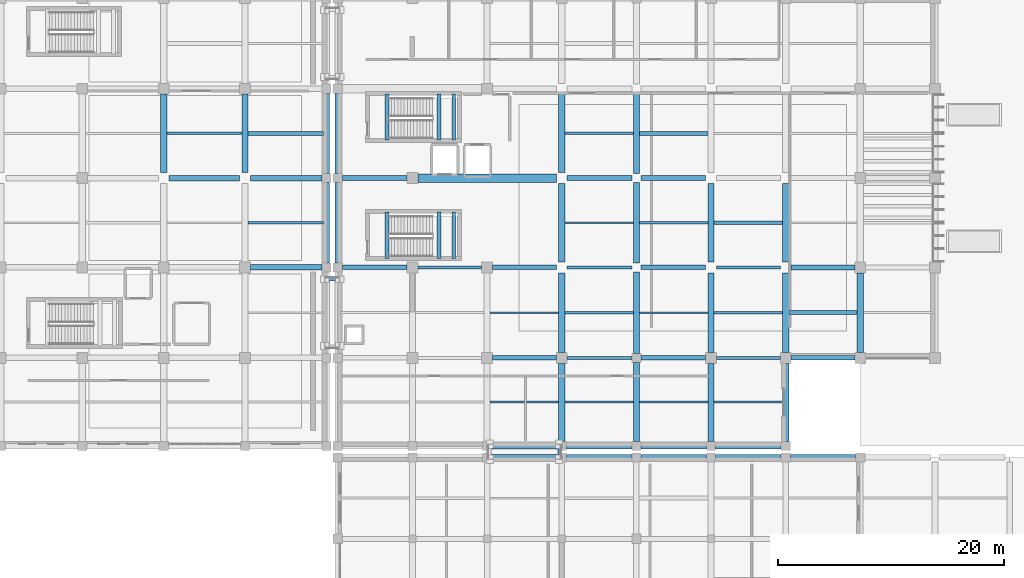
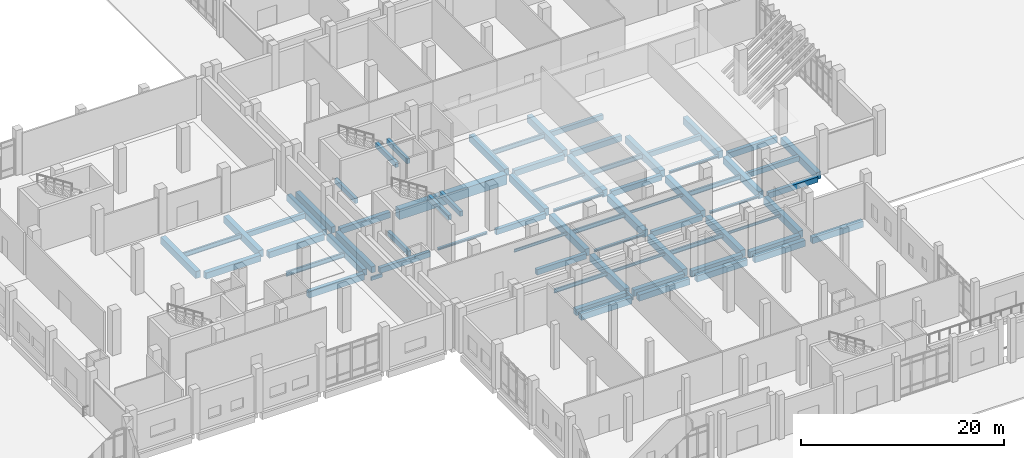
# One storey, part 17 of 79: 74 beams.
"""IFC4 building model written with IfcOpenShell, lengths in metres."""

from ifc_helpers import new_model, si_unit, direction, frame, origin, origin_2d, place, context, subcontext, project, spatial, rectangle, hollow_rectangle, i_section, extrude, material, material_profile, profile_set, type_object, element, save


model = new_model("IFC4")

# Units and contexts
model_context = context("Model", 3, precision=1e-05, world=origin(), true_north=direction((0.0, 1.0)))
body_context = subcontext(model_context, "Body", "Model", "MODEL_VIEW")
ifc_project = project(units=[si_unit("LENGTHUNIT", "METRE"), si_unit("AREAUNIT", "SQUARE_METRE"), si_unit("VOLUMEUNIT", "CUBIC_METRE"), si_unit("PLANEANGLEUNIT", "RADIAN"), si_unit("MASSUNIT", "GRAM", prefix="KILO")], contexts=[model_context])

# Site, building, storey
site_placement = place(None, origin())
site = spatial("IfcSite", under=ifc_project, at=site_placement, CompositionType="ELEMENT")
building_placement = place(site_placement, origin())
building = spatial("IfcBuilding", under=site, at=building_placement, Name="Kelarvand Opera House", CompositionType="ELEMENT")
storey_placement = place(building_placement, origin())
storey = spatial("IfcBuildingStorey", under=building, at=storey_placement, Name="L00", CompositionType="ELEMENT", Elevation=0.0)

# Beams
ifc_material_1 = material(Name="Concrete C35/45", Category="concrete")
ifc_material_profile_1 = material_profile(ifc_material_1, rectangle(XDim=0.35009765625, YDim=0.60009765625, at=origin_2d()), Name="RC 350x600", Category="concrete")
ifc_profile_set_1 = profile_set([ifc_material_profile_1], Name="Concrete C35/45")
beam_type_1 = type_object("IfcBeamType", Name="Structural Beam RC 350x600 BM-RC350x600", PredefinedType="BEAM", material=ifc_profile_set_1)
for number, where, z_axis, x_axis, name in (
    (1, (115.675048828125, 66.449951171875, -0.6201171875), (1.0, 0.0, 0.0), (0.0, 1.0, 0.0), "V1 L00 Beam BM-RC350x600"),
    (2, (122.27490234375, 58.550048828125, -0.6201171875), (1.0, 0.0, 0.0), (0.0, 1.0, 0.0), "V1 L00 Beam BM-RC350x600"),
    (3, (128.875, 50.60009765625, -0.6201171875), (1.0, 0.0, 0.0), (0.0, 1.0, 0.0), "V1 L00 Beam BM-RC350x600"),
):
    element("IfcBeam", number, at=place(storey_placement, frame(where, z_axis=z_axis, x_axis=x_axis)), inside=storey, type_object=beam_type_1, Name=name, PredefinedType="BEAM", context=body_context, shape_type="SweptSolid", body=[
        extrude(rectangle(XDim=0.35009765625, YDim=0.60009765625, at=origin_2d()), origin(), (0.0, 0.0, 1.0), 6.050048828125),
    ])
beam_1_placement = place(storey_placement, frame((81.074951171875, 66.449951171875, -0.6201171875), z_axis=(1.0, 0.0, 0.0), x_axis=(0.0, 1.0, 0.0)))
element("IfcBeam", 4, at=beam_1_placement, inside=storey, type_object=beam_type_1, Name="V2 L00 Beam BM-RC350x600", PredefinedType="BEAM", context=body_context, shape_type="SweptSolid", body=[
    extrude(rectangle(XDim=0.35009765625, YDim=0.60009765625, at=origin_2d()), origin(), (0.0, 0.0, 1.0), 6.675048828125),
])
for number, where, z_axis, x_axis, name in (
    (5, (93.340087890625, 65.85009765625, -0.52001953125), (0.0, 1.0, 0.0), (-1.0, 0.0, 0.0), "C1 Stair Landing Support Beam L00"),
    (6, (97.949951171875, 65.85009765625, 2.199951171875), (0.0, 1.0, 0.0), (-1.0, 0.0, 0.0), "C1 Stair Half-Landing Beam 1 L00"),
    (7, (99.25, 65.85009765625, 2.199951171875), (0.0, 1.0, 0.0), (-1.0, 0.0, 0.0), "C1 Stair Half-Landing Beam 2 L00"),
):
    element("IfcBeam", number, at=place(storey_placement, frame(where, z_axis=z_axis, x_axis=x_axis)), inside=storey, type_object=beam_type_1, Name=name, PredefinedType="BEAM", context=body_context, shape_type="SweptSolid", body=[
        extrude(rectangle(XDim=0.35009765625, YDim=0.60009765625, at=origin_2d()), origin(), (0.0, 0.0, 1.0), 4.099853515625),
    ])
for number, where, z_axis, x_axis, name in (
    (8, (93.340087890625, 55.39990234375, -0.52001953125), (0.0, 1.0, 0.0), (-1.0, 0.0, 0.0), "C4 Stair Landing Support Beam L00"),
    (9, (97.949951171875, 55.39990234375, 2.199951171875), (0.0, 1.0, 0.0), (-1.0, 0.0, 0.0), "C4 Stair Half-Landing Beam 1 L00"),
    (10, (99.25, 55.39990234375, 2.199951171875), (0.0, 1.0, 0.0), (-1.0, 0.0, 0.0), "C4 Stair Half-Landing Beam 2 L00"),
):
    element("IfcBeam", number, at=place(storey_placement, frame(where, z_axis=z_axis, x_axis=x_axis)), inside=storey, type_object=beam_type_1, Name=name, PredefinedType="BEAM", context=body_context, shape_type="SweptSolid", body=[
        extrude(rectangle(XDim=0.35009765625, YDim=0.60009765625, at=origin_2d()), origin(), (0.0, 0.0, 1.0), 4.10009765625),
    ])
ifc_material_2 = material(Name="Concrete C40/50", Category="concrete")
ifc_material_profile_2 = material_profile(ifc_material_2, rectangle(XDim=0.449951171875, YDim=0.699951171875, at=origin_2d()), Name="RC 450x700", Category="concrete")
ifc_profile_set_2 = profile_set([ifc_material_profile_2], Name="Concrete C40/50")
beam_type_2 = type_object("IfcBeamType", Name="Structural Beam RC 450x700 BM-RC450x700", PredefinedType="BEAM", material=ifc_profile_set_2)
beam_2_placement = place(storey_placement, frame((129.074951171875, 54.60009765625, -0.669921875), z_axis=(1.0, 0.0, 0.0), x_axis=(0.0, 1.0, 0.0)))
element("IfcBeam", 11, at=beam_2_placement, inside=storey, type_object=beam_type_2, Name="V1 L00 Beam BM-RC450x700", PredefinedType="BEAM", context=body_context, shape_type="SweptSolid", body=[
    extrude(rectangle(XDim=0.449951171875, YDim=0.699951171875, at=origin_2d()), origin(), (0.0, 0.0, 1.0), 5.650146484375),
])
for number, where, z_axis, x_axis, name in (
    (12, (89.409912109375, 62.5, -0.669921875), (1.0, 0.0, 0.0), (0.0, 1.0, 0.0), "V1 L00 Beam BM-RC450x700"),
    (13, (109.27490234375, 62.5, -0.669921875), (1.0, 0.0, 0.0), (0.0, 1.0, 0.0), "V1 L00 Beam BM-RC450x700"),
):
    element("IfcBeam", number, at=place(storey_placement, frame(where, z_axis=z_axis, x_axis=x_axis)), inside=storey, type_object=beam_type_2, Name=name, PredefinedType="BEAM", context=body_context, shape_type="SweptSolid", body=[
        extrude(rectangle(XDim=0.449951171875, YDim=0.699951171875, at=origin_2d()), origin(), (0.0, 0.0, 1.0), 5.715087890625),
    ])
beam_3_placement = place(storey_placement, frame((115.81005859375, 62.5, -0.669921875), z_axis=(1.0, 0.0, 0.0), x_axis=(0.0, 1.0, 0.0)))
element("IfcBeam", 14, at=beam_3_placement, inside=storey, type_object=beam_type_2, Name="V1 L00 Beam BM-RC450x700", PredefinedType="BEAM", context=body_context, shape_type="SweptSolid", body=[
    extrude(rectangle(XDim=0.449951171875, YDim=0.699951171875, at=origin_2d()), origin(), (0.0, 0.0, 1.0), 5.71484375),
])
ifc_material_profile_3 = material_profile(ifc_material_2, rectangle(XDim=0.5, YDim=0.75, at=origin_2d()), Name="RC 500x750", Category="concrete")
ifc_profile_set_3 = profile_set([ifc_material_profile_3], Name="Concrete C40/50")
beam_type_3 = type_object("IfcBeamType", Name="Structural Beam RC 500x750 BM-RC500x750", PredefinedType="BEAM", material=ifc_profile_set_3)
beam_4_placement = place(storey_placement, frame((81.27490234375, 54.60009765625, -0.695068359375), z_axis=(1.0, 0.0, 0.0), x_axis=(0.0, 1.0, 0.0)))
element("IfcBeam", 15, at=beam_4_placement, inside=storey, type_object=beam_type_3, Name="V2 L00 Beam BM-RC500x750", PredefinedType="BEAM", context=body_context, shape_type="SweptSolid", body=[
    extrude(rectangle(XDim=0.5, YDim=0.75, at=origin_2d()), origin(), (0.0, 0.0, 1.0), 6.315185546875),
])
beam_5_placement = place(storey_placement, frame((74.074951171875, 62.5, -0.695068359375), z_axis=(1.0, 0.0, 0.0), x_axis=(0.0, 1.0, 0.0)))
element("IfcBeam", 16, at=beam_5_placement, inside=storey, type_object=beam_type_3, Name="V2 L00 Beam BM-RC500x750", PredefinedType="BEAM", context=body_context, shape_type="SweptSolid", body=[
    extrude(rectangle(XDim=0.5, YDim=0.75, at=origin_2d()), origin(), (0.0, 0.0, 1.0), 6.25),
])
beam_6_placement = place(storey_placement, frame((81.27490234375, 62.5, -0.695068359375), z_axis=(1.0, 0.0, 0.0), x_axis=(0.0, 1.0, 0.0)))
element("IfcBeam", 17, at=beam_6_placement, inside=storey, type_object=beam_type_3, Name="V2 L00 Beam BM-RC500x750", PredefinedType="BEAM", context=body_context, shape_type="SweptSolid", body=[
    extrude(rectangle(XDim=0.5, YDim=0.75, at=origin_2d()), origin(), (0.0, 0.0, 1.0), 6.315185546875),
])
ifc_material_profile_4 = material_profile(ifc_material_2, rectangle(XDim=0.550048828125, YDim=0.85009765625, at=origin_2d()), Name="RC 550x850", Category="concrete")
ifc_profile_set_4 = profile_set([ifc_material_profile_4], Name="Concrete C40/50")
beam_type_4 = type_object("IfcBeamType", Name="Structural Beam RC 550x850 BM-RC550x850", PredefinedType="BEAM", material=ifc_profile_set_4)
beam_7_placement = place(storey_placement, frame((108.800048828125, 39.2099609375, -0.7451171875), z_axis=(0.0, 1.0, 0.0), x_axis=(-1.0, 0.0, 0.0)))
element("IfcBeam", 18, at=beam_7_placement, inside=storey, type_object=beam_type_4, Name="V1 L00 Beam BM-RC550x850", PredefinedType="BEAM", context=body_context, shape_type="SweptSolid", body=[
    extrude(rectangle(XDim=0.550048828125, YDim=0.85009765625, at=origin_2d()), origin(), (0.0, 0.0, 1.0), 6.9150390625),
])
beam_8_placement = place(storey_placement, frame((108.800048828125, 47.074951171875, -0.7451171875), z_axis=(0.0, 1.0, 0.0), x_axis=(-1.0, 0.0, 0.0)))
element("IfcBeam", 19, at=beam_8_placement, inside=storey, type_object=beam_type_4, Name="V1 L00 Beam BM-RC550x850", PredefinedType="BEAM", context=body_context, shape_type="SweptSolid", body=[
    extrude(rectangle(XDim=0.550048828125, YDim=0.85009765625, at=origin_2d()), origin(), (0.0, 0.0, 1.0), 7.050048828125),
])
for number, where, z_axis, x_axis, name in (
    (20, (108.800048828125, 55.074951171875, -0.7451171875), (0.0, 1.0, 0.0), (-1.0, 0.0, 0.0), "V1 L00 Beam BM-RC550x850"),
    (21, (108.800048828125, 62.97509765625, -0.7451171875), (0.0, 1.0, 0.0), (-1.0, 0.0, 0.0), "V1 L00 Beam BM-RC550x850"),
):
    element("IfcBeam", number, at=place(storey_placement, frame(where, z_axis=z_axis, x_axis=x_axis)), inside=storey, type_object=beam_type_4, Name=name, PredefinedType="BEAM", context=body_context, shape_type="SweptSolid", body=[
        extrude(rectangle(XDim=0.550048828125, YDim=0.85009765625, at=origin_2d()), origin(), (0.0, 0.0, 1.0), 6.949951171875),
    ])
beam_9_placement = place(storey_placement, frame((115.39990234375, 39.2099609375, -0.7451171875), z_axis=(0.0, 1.0, 0.0), x_axis=(-1.0, 0.0, 0.0)))
element("IfcBeam", 22, at=beam_9_placement, inside=storey, type_object=beam_type_4, Name="V1 L00 Beam BM-RC550x850", PredefinedType="BEAM", context=body_context, shape_type="SweptSolid", body=[
    extrude(rectangle(XDim=0.550048828125, YDim=0.85009765625, at=origin_2d()), origin(), (0.0, 0.0, 1.0), 6.97998046875),
])
beam_10_placement = place(storey_placement, frame((115.39990234375, 47.010009765625, -0.7451171875), z_axis=(0.0, 1.0, 0.0), x_axis=(-1.0, 0.0, 0.0)))
element("IfcBeam", 23, at=beam_10_placement, inside=storey, type_object=beam_type_4, Name="V1 L00 Beam BM-RC550x850", PredefinedType="BEAM", context=body_context, shape_type="SweptSolid", body=[
    extrude(rectangle(XDim=0.550048828125, YDim=0.85009765625, at=origin_2d()), origin(), (0.0, 0.0, 1.0), 7.179931640625),
])
for number, where, z_axis, x_axis, name in (
    (24, (115.39990234375, 55.010009765625, -0.7451171875), (0.0, 1.0, 0.0), (-1.0, 0.0, 0.0), "V1 L00 Beam BM-RC550x850"),
    (25, (115.39990234375, 62.909912109375, -0.7451171875), (0.0, 1.0, 0.0), (-1.0, 0.0, 0.0), "V1 L00 Beam BM-RC550x850"),
):
    element("IfcBeam", number, at=place(storey_placement, frame(where, z_axis=z_axis, x_axis=x_axis)), inside=storey, type_object=beam_type_4, Name=name, PredefinedType="BEAM", context=body_context, shape_type="SweptSolid", body=[
        extrude(rectangle(XDim=0.550048828125, YDim=0.85009765625, at=origin_2d()), origin(), (0.0, 0.0, 1.0), 7.080078125),
    ])
beam_11_placement = place(storey_placement, frame((122.0, 39.2099609375, -0.7451171875), z_axis=(0.0, 1.0, 0.0), x_axis=(-1.0, 0.0, 0.0)))
element("IfcBeam", 26, at=beam_11_placement, inside=storey, type_object=beam_type_4, Name="V1 L00 Beam BM-RC550x850", PredefinedType="BEAM", context=body_context, shape_type="SweptSolid", body=[
    extrude(rectangle(XDim=0.550048828125, YDim=0.85009765625, at=origin_2d()), origin(), (0.0, 0.0, 1.0), 6.9150390625),
])
beam_12_placement = place(storey_placement, frame((122.0, 47.074951171875, -0.7451171875), z_axis=(0.0, 1.0, 0.0), x_axis=(-1.0, 0.0, 0.0)))
element("IfcBeam", 27, at=beam_12_placement, inside=storey, type_object=beam_type_4, Name="V1 L00 Beam BM-RC550x850", PredefinedType="BEAM", context=body_context, shape_type="SweptSolid", body=[
    extrude(rectangle(XDim=0.550048828125, YDim=0.85009765625, at=origin_2d()), origin(), (0.0, 0.0, 1.0), 7.050048828125),
])
beam_13_placement = place(storey_placement, frame((122.0, 55.074951171875, -0.7451171875), z_axis=(0.0, 1.0, 0.0), x_axis=(-1.0, 0.0, 0.0)))
element("IfcBeam", 28, at=beam_13_placement, inside=storey, type_object=beam_type_4, Name="V1 L00 Beam BM-RC550x850", PredefinedType="BEAM", context=body_context, shape_type="SweptSolid", body=[
    extrude(rectangle(XDim=0.550048828125, YDim=0.85009765625, at=origin_2d()), origin(), (0.0, 0.0, 1.0), 6.949951171875),
])
beam_14_placement = place(storey_placement, frame((128.60009765625, 39.2099609375, -0.7451171875), z_axis=(0.0, 1.0, 0.0), x_axis=(-1.0, 0.0, 0.0)))
element("IfcBeam", 29, at=beam_14_placement, inside=storey, type_object=beam_type_4, Name="V1 L00 Beam BM-RC550x850", PredefinedType="BEAM", context=body_context, shape_type="SweptSolid", body=[
    extrude(rectangle(XDim=0.550048828125, YDim=0.85009765625, at=origin_2d()), origin(), (0.0, 0.0, 1.0), 6.9150390625),
])
beam_15_placement = place(storey_placement, frame((128.60009765625, 47.074951171875, -0.7451171875), z_axis=(0.0, 1.0, 0.0), x_axis=(-1.0, 0.0, 0.0)))
element("IfcBeam", 30, at=beam_15_placement, inside=storey, type_object=beam_type_4, Name="V1 L00 Beam BM-RC550x850", PredefinedType="BEAM", context=body_context, shape_type="SweptSolid", body=[
    extrude(rectangle(XDim=0.550048828125, YDim=0.85009765625, at=origin_2d()), origin(), (0.0, 0.0, 1.0), 7.050048828125),
])
beam_16_placement = place(storey_placement, frame((128.60009765625, 55.074951171875, -0.7451171875), z_axis=(0.0, 1.0, 0.0), x_axis=(-1.0, 0.0, 0.0)))
element("IfcBeam", 31, at=beam_16_placement, inside=storey, type_object=beam_type_4, Name="V1 L00 Beam BM-RC550x850", PredefinedType="BEAM", context=body_context, shape_type="SweptSolid", body=[
    extrude(rectangle(XDim=0.550048828125, YDim=0.85009765625, at=origin_2d()), origin(), (0.0, 0.0, 1.0), 6.949951171875),
])
beam_17_placement = place(storey_placement, frame((135.199951171875, 47.074951171875, -0.7451171875), z_axis=(0.0, 1.0, 0.0), x_axis=(-1.0, 0.0, 0.0)))
element("IfcBeam", 32, at=beam_17_placement, inside=storey, type_object=beam_type_4, Name="V1 L00 Beam BM-RC550x850", PredefinedType="BEAM", context=body_context, shape_type="SweptSolid", body=[
    extrude(rectangle(XDim=0.550048828125, YDim=0.85009765625, at=origin_2d()), origin(), (0.0, 0.0, 1.0), 7.050048828125),
])
for number, where, z_axis, x_axis, name in (
    (33, (73.60009765625, 62.97509765625, -0.7451171875), (0.0, 1.0, 0.0), (-1.0, 0.0, 0.0), "V2 L00 Beam BM-RC550x850"),
    (34, (80.800048828125, 62.97509765625, -0.7451171875), (0.0, 1.0, 0.0), (-1.0, 0.0, 0.0), "V2 L00 Beam BM-RC550x850"),
):
    element("IfcBeam", number, at=place(storey_placement, frame(where, z_axis=z_axis, x_axis=x_axis)), inside=storey, type_object=beam_type_4, Name=name, PredefinedType="BEAM", context=body_context, shape_type="SweptSolid", body=[
        extrude(rectangle(XDim=0.550048828125, YDim=0.85009765625, at=origin_2d()), origin(), (0.0, 0.0, 1.0), 6.949951171875),
    ])
ifc_material_profile_5 = material_profile(ifc_material_2, rectangle(XDim=0.75, YDim=1.199951171875, at=origin_2d()), Name="RC 750x1200", Category="concrete")
ifc_profile_set_5 = profile_set([ifc_material_profile_5], Name="Concrete C40/50")
beam_type_5 = type_object("IfcBeamType", Name="Structural Beam RC 750x1200 BM-RC750x1200", PredefinedType="BEAM", material=ifc_profile_set_5)
beam_18_placement = place(storey_placement, frame((96.074951171875, 62.5, -0.919921875), z_axis=(1.0, 0.0, 0.0), x_axis=(0.0, 1.0, 0.0)))
element("IfcBeam", 35, at=beam_18_placement, inside=storey, type_object=beam_type_5, Name="V1 L00 Beam BM-RC750x1200", PredefinedType="BEAM", context=body_context, shape_type="SweptSolid", body=[
    extrude(rectangle(XDim=0.75, YDim=1.199951171875, at=origin_2d()), origin(), (0.0, 0.0, 1.0), 12.25),
])
ifc_material_3 = material(Name="Steel S355", Category="steel")
ifc_material_profile_6 = material_profile(ifc_material_3, hollow_rectangle(XDim=0.199951171875, YDim=0.39990234375, WallThickness=0.01611328125, at=origin_2d()), Name="RHS 400x200x16.0", Category="steel")
ifc_profile_set_6 = profile_set([ifc_material_profile_6], Name="Steel S355")
beam_type_6 = type_object("IfcBeamType", Name="Structural Beam RHS 400x200x16.0 BM-RHS400", PredefinedType="BEAM", material=ifc_profile_set_6)
beam_19_placement = place(storey_placement, frame((87.85009765625, 53.550048828125, -0.52001953125), z_axis=(1.0, 0.0, 0.0), x_axis=(0.0, 1.0, 0.0)))
element("IfcBeam", 36, at=beam_19_placement, inside=storey, type_object=beam_type_6, Name="Seismic Sliding Corbel Beam BR-JP-S L00 2", PredefinedType="BEAM", context=body_context, shape_type="SweptSolid", body=[
    extrude(hollow_rectangle(XDim=0.199951171875, YDim=0.39990234375, WallThickness=0.01611328125, at=origin_2d()), origin(), (0.0, 0.0, 1.0), 1.2998046875),
])
beam_20_placement = place(storey_placement, frame((108.550048828125, 37.64990234375, -0.52001953125), z_axis=(0.0, 1.0, 0.0), x_axis=(-1.0, 0.0, 0.0)))
element("IfcBeam", 37, at=beam_20_placement, inside=storey, type_object=beam_type_6, Name="Seismic Sliding Corbel Beam BR-JS-E L00 2", PredefinedType="BEAM", context=body_context, shape_type="SweptSolid", body=[
    extrude(hollow_rectangle(XDim=0.199951171875, YDim=0.39990234375, WallThickness=0.01611328125, at=origin_2d()), origin(), (0.0, 0.0, 1.0), 1.300048828125),
])
ifc_material_profile_7 = material_profile(ifc_material_3, i_section(OverallWidth=0.14990234375, OverallDepth=0.300048828125, WebThickness=0.007080078125, FlangeThickness=0.0107421875, at=origin_2d()), Name="IPE 300", Category="steel")
ifc_profile_set_7 = profile_set([ifc_material_profile_7], Name="Steel S355")
beam_type_7 = type_object("IfcBeamType", Name="Structural Joist IPE 300 JS-IPE300", PredefinedType="JOIST", material=ifc_profile_set_7)
for number, where, z_axis, x_axis, name in (
    (38, (109.074951171875, 58.550048828125, -0.469970703125), (1.0, 0.0, 0.0), (0.0, 1.0, 0.0), "V1 L00 Beam JS-IPE300"),
    (39, (115.675048828125, 50.60009765625, -0.469970703125), (1.0, 0.0, 0.0), (0.0, 1.0, 0.0), "V1 L00 Beam JS-IPE300"),
    (40, (122.27490234375, 42.699951171875, -0.469970703125), (1.0, 0.0, 0.0), (0.0, 1.0, 0.0), "V1 L00 Beam JS-IPE300"),
):
    element("IfcBeam", number, at=place(storey_placement, frame(where, z_axis=z_axis, x_axis=x_axis)), inside=storey, type_object=beam_type_7, Name=name, PredefinedType="JOIST", context=body_context, shape_type="SweptSolid", body=[
        extrude(i_section(OverallWidth=0.14990234375, OverallDepth=0.300048828125, WebThickness=0.007080078125, FlangeThickness=0.0107421875, at=origin_2d()), origin(), (0.0, 0.0, 1.0), 6.050048828125),
    ])
ifc_material_profile_8 = material_profile(ifc_material_3, i_section(OverallWidth=0.159912109375, OverallDepth=0.330078125, WebThickness=0.007568359375, FlangeThickness=0.011474609375, at=origin_2d()), Name="IPE 330", Category="steel")
ifc_profile_set_8 = profile_set([ifc_material_profile_8], Name="Steel S355")
beam_type_8 = type_object("IfcBeamType", Name="Structural Joist IPE 330 JS-IPE330", PredefinedType="JOIST", material=ifc_profile_set_8)
beam_21_placement = place(storey_placement, frame((102.47509765625, 50.60009765625, -0.485107421875), z_axis=(1.0, 0.0, 0.0), x_axis=(0.0, 1.0, 0.0)))
element("IfcBeam", 41, at=beam_21_placement, inside=storey, type_object=beam_type_8, Name="V1 L00 Beam JS-IPE330", PredefinedType="JOIST", context=body_context, shape_type="SweptSolid", body=[
    extrude(i_section(OverallWidth=0.159912109375, OverallDepth=0.330078125, WebThickness=0.007568359375, FlangeThickness=0.011474609375, at=origin_2d()), origin(), (0.0, 0.0, 1.0), 6.0498046875),
])
beam_22_placement = place(storey_placement, frame((109.074951171875, 42.699951171875, -0.485107421875), z_axis=(1.0, 0.0, 0.0), x_axis=(0.0, 1.0, 0.0)))
element("IfcBeam", 42, at=beam_22_placement, inside=storey, type_object=beam_type_8, Name="V1 L00 Beam JS-IPE330", PredefinedType="JOIST", context=body_context, shape_type="SweptSolid", body=[
    extrude(i_section(OverallWidth=0.159912109375, OverallDepth=0.330078125, WebThickness=0.007568359375, FlangeThickness=0.011474609375, at=origin_2d()), origin(), (0.0, 0.0, 1.0), 6.050048828125),
])
ifc_material_profile_9 = material_profile(ifc_material_3, i_section(OverallWidth=0.18994140625, OverallDepth=0.449951171875, WebThickness=0.009521484375, FlangeThickness=0.0146484375, at=origin_2d()), Name="IPE 450", Category="steel")
ifc_profile_set_9 = profile_set([ifc_material_profile_9], Name="Steel S355")
beam_type_9 = type_object("IfcBeamType", Name="Structural Joist IPE 450 JS-IPE450", PredefinedType="JOIST", material=ifc_profile_set_9)
beam_23_placement = place(storey_placement, frame((102.47509765625, 42.699951171875, -0.544921875), z_axis=(1.0, 0.0, 0.0), x_axis=(0.0, 1.0, 0.0)))
element("IfcBeam", 43, at=beam_23_placement, inside=storey, type_object=beam_type_9, Name="V1 L00 Beam JS-IPE450", PredefinedType="JOIST", context=body_context, shape_type="SweptSolid", body=[
    extrude(i_section(OverallWidth=0.18994140625, OverallDepth=0.449951171875, WebThickness=0.009521484375, FlangeThickness=0.0146484375, at=origin_2d()), origin(), (0.0, 0.0, 1.0), 6.0498046875),
])
ifc_material_profile_10 = material_profile(ifc_material_3, i_section(OverallWidth=0.199951171875, OverallDepth=0.5, WebThickness=0.01025390625, FlangeThickness=0.01611328125, at=origin_2d()), Name="IPE 500", Category="steel")
ifc_profile_set_10 = profile_set([ifc_material_profile_10], Name="Steel S355")
beam_type_10 = type_object("IfcBeamType", Name="Structural Joist IPE 500 JS-IPE500", PredefinedType="JOIST", material=ifc_profile_set_10)
for number, where, z_axis, x_axis, name in (
    (44, (109.074951171875, 50.60009765625, -0.570068359375), (1.0, 0.0, 0.0), (0.0, 1.0, 0.0), "V1 L00 Beam JS-IPE500"),
    (45, (115.675048828125, 42.699951171875, -0.570068359375), (1.0, 0.0, 0.0), (0.0, 1.0, 0.0), "V1 L00 Beam JS-IPE500"),
):
    element("IfcBeam", number, at=place(storey_placement, frame(where, z_axis=z_axis, x_axis=x_axis)), inside=storey, type_object=beam_type_10, Name=name, PredefinedType="JOIST", context=body_context, shape_type="SweptSolid", body=[
        extrude(i_section(OverallWidth=0.199951171875, OverallDepth=0.5, WebThickness=0.01025390625, FlangeThickness=0.01611328125, at=origin_2d()), origin(), (0.0, 0.0, 1.0), 6.050048828125),
    ])
ifc_material_profile_11 = material_profile(ifc_material_3, i_section(OverallWidth=0.2099609375, OverallDepth=0.550048828125, WebThickness=0.010986328125, FlangeThickness=0.01708984375, at=origin_2d()), Name="IPE 550", Category="steel")
ifc_profile_set_11 = profile_set([ifc_material_profile_11], Name="Steel S355")
beam_type_11 = type_object("IfcBeamType", Name="Structural Joist IPE 550 JS-IPE550", PredefinedType="JOIST", material=ifc_profile_set_11)
for number, where, z_axis, x_axis, name in (
    (46, (109.074951171875, 66.449951171875, -0.594970703125), (1.0, 0.0, 0.0), (0.0, 1.0, 0.0), "V1 L00 Beam JS-IPE550"),
    (47, (115.675048828125, 58.550048828125, -0.594970703125), (1.0, 0.0, 0.0), (0.0, 1.0, 0.0), "V1 L00 Beam JS-IPE550"),
    (48, (122.27490234375, 50.60009765625, -0.594970703125), (1.0, 0.0, 0.0), (0.0, 1.0, 0.0), "V1 L00 Beam JS-IPE550"),
):
    element("IfcBeam", number, at=place(storey_placement, frame(where, z_axis=z_axis, x_axis=x_axis)), inside=storey, type_object=beam_type_11, Name=name, PredefinedType="JOIST", context=body_context, shape_type="SweptSolid", body=[
        extrude(i_section(OverallWidth=0.2099609375, OverallDepth=0.550048828125, WebThickness=0.010986328125, FlangeThickness=0.01708984375, at=origin_2d()), origin(), (0.0, 0.0, 1.0), 6.050048828125),
    ])
beam_24_placement = place(storey_placement, frame((73.875, 66.449951171875, -0.594970703125), z_axis=(1.0, 0.0, 0.0), x_axis=(0.0, 1.0, 0.0)))
element("IfcBeam", 49, at=beam_24_placement, inside=storey, type_object=beam_type_11, Name="V2 L00 Beam JS-IPE550", PredefinedType="JOIST", context=body_context, shape_type="SweptSolid", body=[
    extrude(i_section(OverallWidth=0.2099609375, OverallDepth=0.550048828125, WebThickness=0.010986328125, FlangeThickness=0.01708984375, at=origin_2d()), origin(), (0.0, 0.0, 1.0), 6.64990234375),
])
beam_25_placement = place(storey_placement, frame((81.074951171875, 58.550048828125, -0.594970703125), z_axis=(1.0, 0.0, 0.0), x_axis=(0.0, 1.0, 0.0)))
element("IfcBeam", 50, at=beam_25_placement, inside=storey, type_object=beam_type_11, Name="V2 L00 Beam JS-IPE550", PredefinedType="JOIST", context=body_context, shape_type="SweptSolid", body=[
    extrude(i_section(OverallWidth=0.2099609375, OverallDepth=0.550048828125, WebThickness=0.010986328125, FlangeThickness=0.01708984375, at=origin_2d()), origin(), (0.0, 0.0, 1.0), 6.675048828125),
])
ifc_material_profile_12 = material_profile(ifc_material_3, i_section(OverallWidth=0.260009765625, OverallDepth=0.25, WebThickness=0.007568359375, FlangeThickness=0.012451171875, at=origin_2d()), Name="HEA 260", Category="steel")
ifc_profile_set_12 = profile_set([ifc_material_profile_12], Name="Steel S355")
beam_type_12 = type_object("IfcBeamType", Name="Structural Lintel HEA 260 LN-HEA260", PredefinedType="LINTEL", material=ifc_profile_set_12)
beam_26_placement = place(storey_placement, frame((109.27490234375, 46.60009765625, -0.445068359375), z_axis=(1.0, 0.0, 0.0), x_axis=(0.0, 1.0, 0.0)))
element("IfcBeam", 51, at=beam_26_placement, inside=storey, type_object=beam_type_12, Name="V1 L00 Beam LN-HEA260", PredefinedType="LINTEL", context=body_context, shape_type="SweptSolid", body=[
    extrude(i_section(OverallWidth=0.260009765625, OverallDepth=0.25, WebThickness=0.007568359375, FlangeThickness=0.012451171875, at=origin_2d()), origin(), (0.0, 0.0, 1.0), 5.715087890625),
])
beam_27_placement = place(storey_placement, frame((122.47509765625, 46.60009765625, -0.445068359375), z_axis=(1.0, 0.0, 0.0), x_axis=(0.0, 1.0, 0.0)))
element("IfcBeam", 52, at=beam_27_placement, inside=storey, type_object=beam_type_12, Name="V1 L00 Beam LN-HEA260", PredefinedType="LINTEL", context=body_context, shape_type="SweptSolid", body=[
    extrude(i_section(OverallWidth=0.260009765625, OverallDepth=0.25, WebThickness=0.007568359375, FlangeThickness=0.012451171875, at=origin_2d()), origin(), (0.0, 0.0, 1.0), 5.64990234375),
])
beam_28_placement = place(storey_placement, frame((96.074951171875, 54.60009765625, -0.445068359375), z_axis=(1.0, 0.0, 0.0), x_axis=(0.0, 1.0, 0.0)))
element("IfcBeam", 53, at=beam_28_placement, inside=storey, type_object=beam_type_12, Name="V1 L00 Beam LN-HEA260", PredefinedType="LINTEL", context=body_context, shape_type="SweptSolid", body=[
    extrude(i_section(OverallWidth=0.260009765625, OverallDepth=0.25, WebThickness=0.007568359375, FlangeThickness=0.012451171875, at=origin_2d()), origin(), (0.0, 0.0, 1.0), 5.650146484375),
])
beam_29_placement = place(storey_placement, frame((109.27490234375, 54.60009765625, -0.445068359375), z_axis=(1.0, 0.0, 0.0), x_axis=(0.0, 1.0, 0.0)))
element("IfcBeam", 54, at=beam_29_placement, inside=storey, type_object=beam_type_12, Name="V1 L00 Beam LN-HEA260", PredefinedType="LINTEL", context=body_context, shape_type="SweptSolid", body=[
    extrude(i_section(OverallWidth=0.260009765625, OverallDepth=0.25, WebThickness=0.007568359375, FlangeThickness=0.012451171875, at=origin_2d()), origin(), (0.0, 0.0, 1.0), 5.715087890625),
])
beam_30_placement = place(storey_placement, frame((122.47509765625, 54.60009765625, -0.445068359375), z_axis=(1.0, 0.0, 0.0), x_axis=(0.0, 1.0, 0.0)))
element("IfcBeam", 55, at=beam_30_placement, inside=storey, type_object=beam_type_12, Name="V1 L00 Beam LN-HEA260", PredefinedType="LINTEL", context=body_context, shape_type="SweptSolid", body=[
    extrude(i_section(OverallWidth=0.260009765625, OverallDepth=0.25, WebThickness=0.007568359375, FlangeThickness=0.012451171875, at=origin_2d()), origin(), (0.0, 0.0, 1.0), 5.64990234375),
])
ifc_material_profile_13 = material_profile(ifc_material_2, rectangle(XDim=0.39990234375, YDim=0.64990234375, at=origin_2d()), Name="RC 400x650", Category="concrete")
ifc_profile_set_13 = profile_set([ifc_material_profile_13], Name="Concrete C40/50")
beam_type_13 = type_object("IfcBeamType", Name="Structural Lintel RC 400x650 LN-RC400x650", PredefinedType="LINTEL", material=ifc_profile_set_13)
beam_31_placement = place(storey_placement, frame((102.675048828125, 46.60009765625, -0.64501953125), z_axis=(1.0, 0.0, 0.0), x_axis=(0.0, 1.0, 0.0)))
element("IfcBeam", 56, at=beam_31_placement, inside=storey, type_object=beam_type_13, Name="V1 L00 Beam LN-RC400x650", PredefinedType="LINTEL", context=body_context, shape_type="SweptSolid", body=[
    extrude(rectangle(XDim=0.39990234375, YDim=0.64990234375, at=origin_2d()), origin(), (0.0, 0.0, 1.0), 5.64990234375),
])
beam_32_placement = place(storey_placement, frame((115.81005859375, 46.60009765625, -0.64501953125), z_axis=(1.0, 0.0, 0.0), x_axis=(0.0, 1.0, 0.0)))
element("IfcBeam", 57, at=beam_32_placement, inside=storey, type_object=beam_type_13, Name="V1 L00 Beam LN-RC400x650", PredefinedType="LINTEL", context=body_context, shape_type="SweptSolid", body=[
    extrude(rectangle(XDim=0.39990234375, YDim=0.64990234375, at=origin_2d()), origin(), (0.0, 0.0, 1.0), 5.71484375),
])
beam_33_placement = place(storey_placement, frame((129.074951171875, 46.60009765625, -0.64501953125), z_axis=(1.0, 0.0, 0.0), x_axis=(0.0, 1.0, 0.0)))
element("IfcBeam", 58, at=beam_33_placement, inside=storey, type_object=beam_type_13, Name="V1 L00 Beam LN-RC400x650", PredefinedType="LINTEL", context=body_context, shape_type="SweptSolid", body=[
    extrude(rectangle(XDim=0.39990234375, YDim=0.64990234375, at=origin_2d()), origin(), (0.0, 0.0, 1.0), 5.650146484375),
])
beam_34_placement = place(storey_placement, frame((89.409912109375, 54.60009765625, -0.64501953125), z_axis=(1.0, 0.0, 0.0), x_axis=(0.0, 1.0, 0.0)))
element("IfcBeam", 59, at=beam_34_placement, inside=storey, type_object=beam_type_13, Name="V1 L00 Beam LN-RC400x650", PredefinedType="LINTEL", context=body_context, shape_type="SweptSolid", body=[
    extrude(rectangle(XDim=0.39990234375, YDim=0.64990234375, at=origin_2d()), origin(), (0.0, 0.0, 1.0), 5.715087890625),
])
beam_35_placement = place(storey_placement, frame((102.675048828125, 54.60009765625, -0.64501953125), z_axis=(1.0, 0.0, 0.0), x_axis=(0.0, 1.0, 0.0)))
element("IfcBeam", 60, at=beam_35_placement, inside=storey, type_object=beam_type_13, Name="V1 L00 Beam LN-RC400x650", PredefinedType="LINTEL", context=body_context, shape_type="SweptSolid", body=[
    extrude(rectangle(XDim=0.39990234375, YDim=0.64990234375, at=origin_2d()), origin(), (0.0, 0.0, 1.0), 5.64990234375),
])
beam_36_placement = place(storey_placement, frame((115.81005859375, 54.60009765625, -0.64501953125), z_axis=(1.0, 0.0, 0.0), x_axis=(0.0, 1.0, 0.0)))
element("IfcBeam", 61, at=beam_36_placement, inside=storey, type_object=beam_type_13, Name="V1 L00 Beam LN-RC400x650", PredefinedType="LINTEL", context=body_context, shape_type="SweptSolid", body=[
    extrude(rectangle(XDim=0.39990234375, YDim=0.64990234375, at=origin_2d()), origin(), (0.0, 0.0, 1.0), 5.71484375),
])
ifc_material_profile_14 = material_profile(ifc_material_2, rectangle(XDim=0.5, YDim=0.75, at=origin_2d()), Name="RC 500x750", Category="concrete")
ifc_profile_set_14 = profile_set([ifc_material_profile_14], Name="Concrete C40/50")
beam_type_14 = type_object("IfcBeamType", Name="Structural Spandrel RC 500x750 SP-RC500x750E", PredefinedType="SPANDREL", material=ifc_profile_set_14)
beam_37_placement = place(storey_placement, frame((102.610107421875, 38.800048828125, -0.695068359375), z_axis=(1.0, 0.0, 0.0), x_axis=(0.0, 1.0, 0.0)))
element("IfcBeam", 62, at=beam_37_placement, inside=storey, type_object=beam_type_14, Name="V1 L00 Beam SP-RC500x750E", PredefinedType="SPANDREL", context=body_context, shape_type="SweptSolid", body=[
    extrude(rectangle(XDim=0.5, YDim=0.75, at=origin_2d()), origin(), (0.0, 0.0, 1.0), 5.77978515625),
])
for number, where, z_axis, x_axis, name in (
    (63, (109.2099609375, 38.800048828125, -0.695068359375), (1.0, 0.0, 0.0), (0.0, 1.0, 0.0), "V1 L00 Beam SP-RC500x750E"),
    (64, (115.81005859375, 38.800048828125, -0.695068359375), (1.0, 0.0, 0.0), (0.0, 1.0, 0.0), "V1 L00 Beam SP-RC500x750E"),
    (65, (122.409912109375, 38.800048828125, -0.695068359375), (1.0, 0.0, 0.0), (0.0, 1.0, 0.0), "V1 L00 Beam SP-RC500x750E"),
):
    element("IfcBeam", number, at=place(storey_placement, frame(where, z_axis=z_axis, x_axis=x_axis)), inside=storey, type_object=beam_type_14, Name=name, PredefinedType="SPANDREL", context=body_context, shape_type="SweptSolid", body=[
        extrude(rectangle(XDim=0.5, YDim=0.75, at=origin_2d()), origin(), (0.0, 0.0, 1.0), 5.780029296875),
    ])
for number, where, z_axis, x_axis, name in (
    (66, (89.0, 55.010009765625, -0.695068359375), (0.0, 1.0, 0.0), (-1.0, 0.0, 0.0), "V1 L00 Beam SP-RC500x750E"),
    (67, (89.0, 62.909912109375, -0.695068359375), (0.0, 1.0, 0.0), (-1.0, 0.0, 0.0), "V1 L00 Beam SP-RC500x750E"),
    (68, (88.0, 55.010009765625, -0.695068359375), (0.0, 1.0, 0.0), (-1.0, 0.0, 0.0), "V2 L00 Beam SP-RC500x750E"),
    (69, (88.0, 62.909912109375, -0.695068359375), (0.0, 1.0, 0.0), (-1.0, 0.0, 0.0), "V2 L00 Beam SP-RC500x750E"),
):
    element("IfcBeam", number, at=place(storey_placement, frame(where, z_axis=z_axis, x_axis=x_axis)), inside=storey, type_object=beam_type_14, Name=name, PredefinedType="SPANDREL", context=body_context, shape_type="SweptSolid", body=[
        extrude(rectangle(XDim=0.5, YDim=0.75, at=origin_2d()), origin(), (0.0, 0.0, 1.0), 7.080078125),
    ])
beam_38_placement = place(storey_placement, frame((102.610107421875, 37.800048828125, -0.675048828125), z_axis=(1.0, 0.0, 0.0), x_axis=(0.0, 1.0, 0.0)))
element("IfcBeam", 70, at=beam_38_placement, inside=storey, type_object=beam_type_14, Name="V6 L00 Beam SP-RC500x750E", PredefinedType="SPANDREL", context=body_context, shape_type="SweptSolid", body=[
    extrude(rectangle(XDim=0.5, YDim=0.75, at=origin_2d()), origin(), (0.0, 0.0, 1.0), 5.77978515625),
])
for number, where, z_axis, x_axis, name in (
    (71, (109.2099609375, 37.800048828125, -0.675048828125), (1.0, 0.0, 0.0), (0.0, 1.0, 0.0), "V6 L00 Beam SP-RC500x750E"),
    (72, (115.81005859375, 37.800048828125, -0.675048828125), (1.0, 0.0, 0.0), (0.0, 1.0, 0.0), "V6 L00 Beam SP-RC500x750E"),
    (73, (122.409912109375, 37.800048828125, -0.675048828125), (1.0, 0.0, 0.0), (0.0, 1.0, 0.0), "V6 L00 Beam SP-RC500x750E"),
    (74, (129.010009765625, 37.800048828125, -0.675048828125), (1.0, 0.0, 0.0), (0.0, 1.0, 0.0), "V6 L00 Beam SP-RC500x750E"),
):
    element("IfcBeam", number, at=place(storey_placement, frame(where, z_axis=z_axis, x_axis=x_axis)), inside=storey, type_object=beam_type_14, Name=name, PredefinedType="SPANDREL", context=body_context, shape_type="SweptSolid", body=[
        extrude(rectangle(XDim=0.5, YDim=0.75, at=origin_2d()), origin(), (0.0, 0.0, 1.0), 5.780029296875),
    ])

save(model, "model.ifc")
